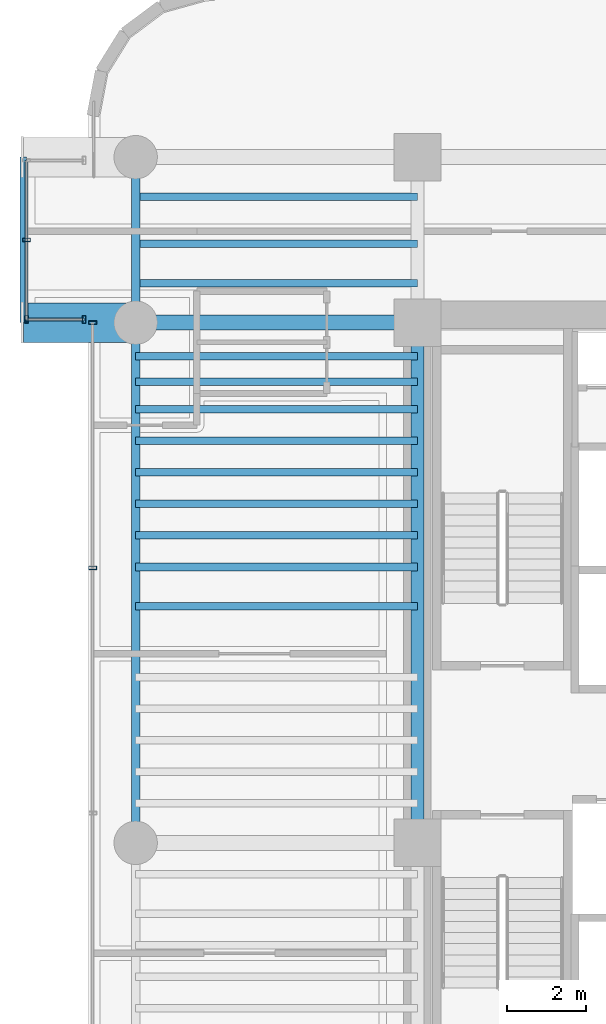
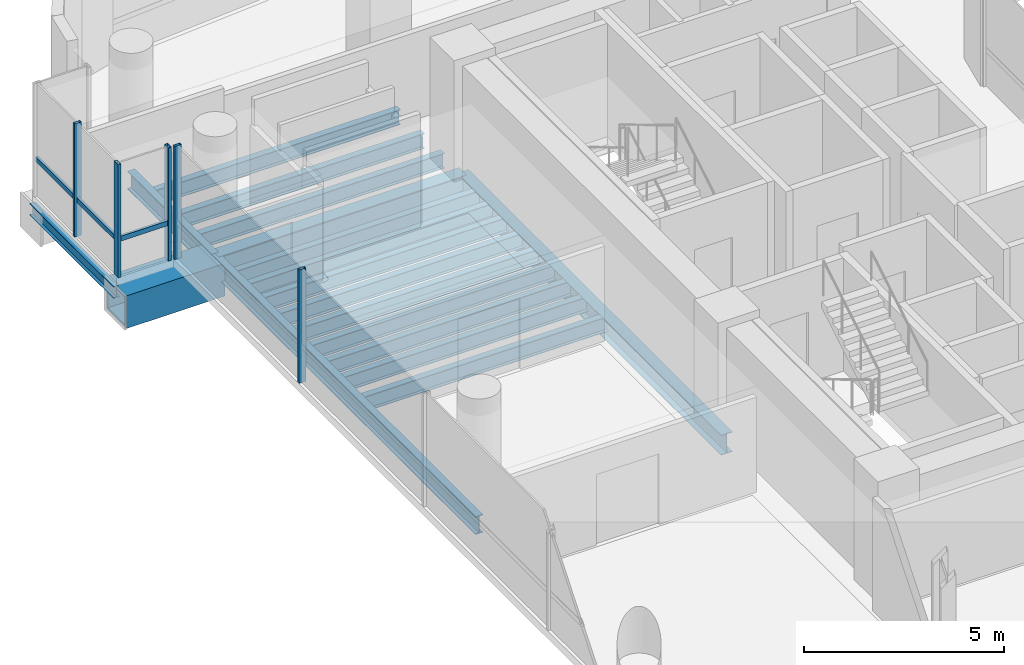
# One storey, part 8 of 34: 18 beams, 7 members, 3 elements without a shape of their own.
"""IFC4 building model written with IfcOpenShell, lengths in metres."""

from ifc_helpers import new_model, si_unit, direction, frame, origin, origin_2d, place, context, subcontext, project, spatial, hollow_rectangle, i_section, extrude, source, transform, mapped, material, material_profile, profile_set, type_object, element, aggregate, save


model = new_model("IFC4")

# Units and contexts
model_context = context("Model", 3, precision=1e-05, world=origin(), true_north=direction((0.0, 1.0)))
body_context = subcontext(model_context, "Body", "Model", "MODEL_VIEW")
ifc_project = project(units=[si_unit("LENGTHUNIT", "METRE"), si_unit("AREAUNIT", "SQUARE_METRE"), si_unit("VOLUMEUNIT", "CUBIC_METRE"), si_unit("PLANEANGLEUNIT", "RADIAN"), si_unit("MASSUNIT", "GRAM", prefix="KILO")], contexts=[model_context])

# Site, building, storey
site_placement = place(None, origin())
site = spatial("IfcSite", under=ifc_project, at=site_placement, CompositionType="ELEMENT")
building_placement = place(site_placement, origin())
building = spatial("IfcBuilding", under=site, at=building_placement, Name="Valdorenza Pilgrim Sanctuary Tower", CompositionType="ELEMENT")
storey_placement = place(building_placement, frame((0.0, 0.0, 120.5)))
storey = spatial("IfcBuildingStorey", under=building, at=storey_placement, Name="L30", CompositionType="ELEMENT", Elevation=120.5)

# Beams
ifc_material_1 = material(Name="Steel ASTM A992 Grade 50", Category="steel")
ifc_material_profile_1 = material_profile(ifc_material_1, i_section(OverallWidth=0.214111328125, OverallDepth=0.549072265625, WebThickness=0.0146484375, FlangeThickness=0.023681640625, at=origin_2d()), Name="W21X93")
ifc_profile_set_1 = profile_set([ifc_material_profile_1], Name="Steel ASTM A992 Grade 50")
beam_type_1 = type_object("IfcBeamType", Name="STR-BM-SPN-W21A", PredefinedType="SPANDREL", material=ifc_profile_set_1)
shared_shape_1 = source(origin(), body_context, "Body", "SweptSolid", [
    extrude(i_section(OverallWidth=0.214111328125, OverallDepth=0.549072265625, WebThickness=0.0146484375, FlangeThickness=0.023681640625, at=origin_2d()), origin(), (0.0, 0.0, 1.0), 13.2001953125),
])
beam_1_placement = place(storey_placement, frame((-29.800048828125, -2.60009765625, -0.514404296875), z_axis=(0.0, 1.0, 0.0), x_axis=(-1.0, 0.0, 0.0)))
element("IfcBeam", 1, at=beam_1_placement, inside=storey, type_object=beam_type_1, Name="L30 Spandrel Beam WA-W-M0N1", PredefinedType="SPANDREL", context=body_context, shape_type="MappedRepresentation", body=[
    mapped(shared_shape_1, transform((0.0, 0.0, 0.0), x_axis=(1.0, 0.0, 0.0), y_axis=(0.0, 1.0, 0.0), z_axis=(0.0, 0.0, 1.0), scale=1.0)),
])
ifc_material_profile_2 = material_profile(ifc_material_1, i_section(OverallWidth=0.323974609375, OverallDepth=0.611083984375, WebThickness=0.0126953125, FlangeThickness=0.01904296875, at=origin_2d()), Name="W24X104")
ifc_profile_set_2 = profile_set([ifc_material_profile_2], Name="Steel ASTM A992 Grade 50")
beam_type_2 = type_object("IfcBeamType", Name="STR-BM-GRD-W24B", PredefinedType="BEAM", material=ifc_profile_set_2)
shared_shape_2 = source(origin(), body_context, "Body", "SweptSolid", [
    extrude(i_section(OverallWidth=0.323974609375, OverallDepth=0.611083984375, WebThickness=0.0126953125, FlangeThickness=0.01904296875, at=origin_2d()), origin(), (0.0, 0.0, 1.0), 13.2001953125),
])
beam_2_placement = place(storey_placement, frame((-22.64990234375, -2.60009765625, -0.54541015625), z_axis=(0.0, 1.0, 0.0), x_axis=(-1.0, 0.0, 0.0)))
element("IfcBeam", 2, at=beam_2_placement, inside=storey, type_object=beam_type_2, Name="L30 Core Tie Girder CA-W-M0N1", PredefinedType="BEAM", context=body_context, shape_type="MappedRepresentation", body=[
    mapped(shared_shape_2, transform((0.0, 0.0, 0.0), x_axis=(1.0, 0.0, 0.0), y_axis=(0.0, 1.0, 0.0), z_axis=(0.0, 0.0, 1.0), scale=1.0)),
])
shared_shape_3 = source(origin(), body_context, "Body", "SweptSolid", [
    extrude(i_section(OverallWidth=0.214111328125, OverallDepth=0.549072265625, WebThickness=0.0146484375, FlangeThickness=0.023681640625, at=origin_2d()), origin(), (0.0, 0.0, 1.0), 4.199951171875),
])
beam_3_placement = place(storey_placement, frame((-29.800048828125, 10.60009765625, -0.514404296875), z_axis=(0.0, 1.0, 0.0), x_axis=(-1.0, 0.0, 0.0)))
element("IfcBeam", 3, at=beam_3_placement, inside=storey, type_object=beam_type_1, Name="L30 Spandrel Beam WA-W-N1N2", PredefinedType="SPANDREL", context=body_context, shape_type="MappedRepresentation", body=[
    mapped(shared_shape_3, transform((0.0, 0.0, 0.0), x_axis=(1.0, 0.0, 0.0), y_axis=(0.0, 1.0, 0.0), z_axis=(0.0, 0.0, 1.0), scale=1.0)),
])
ifc_material_profile_3 = material_profile(ifc_material_1, i_section(OverallWidth=0.1708984375, OverallDepth=0.35107421875, WebThickness=0.0068359375, FlangeThickness=0.009765625, at=origin_2d()), Name="W14X30")
ifc_profile_set_3 = profile_set([ifc_material_profile_3], Name="Steel ASTM A992 Grade 50")
beam_type_3 = type_object("IfcBeamType", Name="STR-BM-BOX-W14", PredefinedType="BEAM", material=ifc_profile_set_3)
shared_shape_4 = source(origin(), body_context, "Body", "SweptSolid", [
    extrude(i_section(OverallWidth=0.1708984375, OverallDepth=0.35107421875, WebThickness=0.0068359375, FlangeThickness=0.009765625, at=origin_2d()), origin(), (0.0, 0.0, 1.0), 4.199951171875),
])
beam_4_placement = place(storey_placement, frame((-32.64990234375, 10.60009765625, -0.41552734375), z_axis=(0.0, 1.0, 0.0), x_axis=(-1.0, 0.0, 0.0)))
element("IfcBeam", 4, at=beam_4_placement, inside=storey, type_object=beam_type_3, Name="L30 Glass Box Edge Beam BOX-WA-L30-F", PredefinedType="BEAM", context=body_context, shape_type="MappedRepresentation", body=[
    mapped(shared_shape_4, transform((0.0, 0.0, 0.0), x_axis=(1.0, 0.0, 0.0), y_axis=(0.0, 1.0, 0.0), z_axis=(0.0, 0.0, 1.0), scale=1.0)),
])
ifc_material_profile_4 = material_profile(ifc_material_1, i_section(OverallWidth=0.382080078125, OverallDepth=0.779052734375, WebThickness=0.01806640625, FlangeThickness=0.030029296875, at=origin_2d()), Name="W30X191")
ifc_profile_set_4 = profile_set([ifc_material_profile_4], Name="Steel ASTM A992 Grade 50")
beam_type_4 = type_object("IfcBeamType", Name="STR-BM-GRD-W30", PredefinedType="BEAM", material=ifc_profile_set_4)
shared_shape_5 = source(origin(), body_context, "Body", "SweptSolid", [
    extrude(i_section(OverallWidth=0.382080078125, OverallDepth=0.779052734375, WebThickness=0.01806640625, FlangeThickness=0.030029296875, at=origin_2d()), origin(), (0.0, 0.0, 1.0), 7.150146484375),
])
beam_5_placement = place(storey_placement, frame((-29.800048828125, 10.60009765625, -0.62939453125), z_axis=(1.0, 0.0, 0.0), x_axis=(0.0, 1.0, 0.0)))
element("IfcBeam", 5, at=beam_5_placement, inside=storey, type_object=beam_type_4, Name="L30 Floor Girder WA-XW-N1", PredefinedType="BEAM", context=body_context, shape_type="MappedRepresentation", body=[
    mapped(shared_shape_5, transform((0.0, 0.0, 0.0), x_axis=(1.0, 0.0, 0.0), y_axis=(0.0, 1.0, 0.0), z_axis=(0.0, 0.0, 1.0), scale=1.0)),
])
ifc_material_profile_5 = material_profile(ifc_material_1, i_section(OverallWidth=0.19091796875, OverallDepth=0.45703125, WebThickness=0.009033203125, FlangeThickness=0.014404296875, at=origin_2d()), Name="W18X50")
ifc_profile_set_5 = profile_set([ifc_material_profile_5], Name="Steel ASTM A992 Grade 50")
beam_type_5 = type_object("IfcBeamType", Name="STR-BM-JST-W18B", PredefinedType="JOIST", material=ifc_profile_set_5)
shared_shape_6 = source(origin(), body_context, "Body", "SweptSolid", [
    extrude(i_section(OverallWidth=0.19091796875, OverallDepth=0.45703125, WebThickness=0.009033203125, FlangeThickness=0.014404296875, at=origin_2d()), origin(), (0.0, 0.0, 1.0), 7.150146484375),
])
for number, where, z_axis, x_axis, name in (
    (6, (-29.800048828125, 3.39990234375, -0.468505859375), (1.0, 0.0, 0.0), (0.0, 1.0, 0.0), "L30 Composite Floor Joist JST-WA-15"),
    (7, (-29.800048828125, 4.39990234375, -0.468505859375), (1.0, 0.0, 0.0), (0.0, 1.0, 0.0), "L30 Composite Floor Joist JST-WA-16"),
    (8, (-29.800048828125, 5.199951171875, -0.468505859375), (1.0, 0.0, 0.0), (0.0, 1.0, 0.0), "L30 Composite Floor Joist JST-WA-17"),
    (9, (-29.800048828125, 6.0, -0.468505859375), (1.0, 0.0, 0.0), (0.0, 1.0, 0.0), "L30 Composite Floor Joist JST-WA-18"),
    (10, (-29.800048828125, 6.800048828125, -0.468505859375), (1.0, 0.0, 0.0), (0.0, 1.0, 0.0), "L30 Composite Floor Joist JST-WA-19"),
    (11, (-29.800048828125, 7.60009765625, -0.468505859375), (1.0, 0.0, 0.0), (0.0, 1.0, 0.0), "L30 Composite Floor Joist JST-WA-20"),
    (12, (-29.800048828125, 8.39990234375, -0.468505859375), (1.0, 0.0, 0.0), (0.0, 1.0, 0.0), "L30 Composite Floor Joist JST-WA-21"),
    (13, (-29.800048828125, 9.10009765625, -0.468505859375), (1.0, 0.0, 0.0), (0.0, 1.0, 0.0), "L30 Composite Floor Joist JST-WA-22"),
    (14, (-29.800048828125, 9.75, -0.468505859375), (1.0, 0.0, 0.0), (0.0, 1.0, 0.0), "L30 Composite Floor Joist JST-WA-23"),
    (15, (-29.800048828125, 11.60009765625, -0.468505859375), (1.0, 0.0, 0.0), (0.0, 1.0, 0.0), "L30 Composite Floor Joist JST-WA-24"),
    (16, (-29.800048828125, 12.60009765625, -0.468505859375), (1.0, 0.0, 0.0), (0.0, 1.0, 0.0), "L30 Composite Floor Joist JST-WA-25"),
    (17, (-29.800048828125, 13.800048828125, -0.468505859375), (1.0, 0.0, 0.0), (0.0, 1.0, 0.0), "L30 Composite Floor Joist JST-WA-26"),
):
    element("IfcBeam", number, at=place(storey_placement, frame(where, z_axis=z_axis, x_axis=x_axis)), inside=storey, type_object=beam_type_5, Name=name, PredefinedType="JOIST", context=body_context, shape_type="MappedRepresentation", body=[
        mapped(shared_shape_6, transform((0.0, 0.0, 0.0), x_axis=(1.0, 0.0, 0.0), y_axis=(0.0, 1.0, 0.0), z_axis=(0.0, 0.0, 1.0), scale=1.0)),
    ])
ifc_material_2 = material(Name="Steel ASTM A572 Grade 42", Category="steel")
ifc_material_profile_6 = material_profile(ifc_material_2, hollow_rectangle(XDim=1.0, YDim=1.0, WallThickness=0.080078125, at=origin_2d()), Name="BOX 1000x1000x80")
ifc_profile_set_6 = profile_set([ifc_material_profile_6], Name="Steel ASTM A572 Grade 42")
beam_type_6 = type_object("IfcBeamType", Name="STR-BM-PROW-CANT", PredefinedType="BEAM", material=ifc_profile_set_6)
shared_shape_7 = source(origin(), body_context, "Body", "SweptSolid", [
    extrude(hollow_rectangle(XDim=1.0, YDim=1.0, WallThickness=0.080078125, at=origin_2d()), origin(), (0.0, 0.0, 1.0), 2.849853515625),
])
beam_6_placement = place(storey_placement, frame((-29.800048828125, 10.60009765625, -0.739990234375), z_axis=(-1.0, 0.0, 0.0), x_axis=(0.0, -1.0, 0.0)))
element("IfcBeam", 18, at=beam_6_placement, inside=storey, type_object=beam_type_6, Name="L30 Glass Box Cantilever Beam BOX-WA-L30-CT-S", PredefinedType="BEAM", context=body_context, shape_type="MappedRepresentation", body=[
    mapped(shared_shape_7, transform((0.0, 0.0, 0.0), x_axis=(1.0, 0.0, 0.0), y_axis=(0.0, 1.0, 0.0), z_axis=(0.0, 0.0, 1.0), scale=1.0)),
])

# Curtain wall, members
ifc_material_3 = material(Name="Curtain-wall IGU glazing", Category="glass")
curtain_wall_type = type_object("IfcCurtainWallType", Name="CW-SYS-02", PredefinedType="NOTDEFINED", material=ifc_material_3)
curtain_wall_1_placement = place(storey_placement, origin())
curtain_wall_1 = element("IfcCurtainWall", 19, at=curtain_wall_1_placement, inside=storey, type_object=curtain_wall_type, Name="L30 Curtain Wall CW-L30-1-1S1", PredefinedType="NOTDEFINED")
ifc_material_4 = material(Name="Anodised aluminium AW-6060", Category="aluminium")
ifc_material_profile_7 = material_profile(ifc_material_4, hollow_rectangle(XDim=0.0849609375, YDim=0.199951171875, WallThickness=0.0048828125, at=origin_2d()), Name="ALU-M 200x85x5")
ifc_profile_set_7 = profile_set([ifc_material_profile_7], Name="Anodised aluminium AW-6060")
member_type_1 = type_object("IfcMemberType", Name="CW-MUL-02", PredefinedType="MULLION", material=ifc_profile_set_7)
shared_shape_8 = source(origin(), body_context, "Body", "SweptSolid", [
    extrude(hollow_rectangle(XDim=0.0849609375, YDim=0.199951171875, WallThickness=0.0048828125, at=origin_2d()), origin(), (0.0, 0.0, 1.0), 3.4599609375),
])
member_1_placement = place(storey_placement, frame((-30.889892578125, 4.377685546875, 0.0), z_axis=(0.0, 0.0, 1.0), x_axis=(0.0, 1.0, 0.0)))
member_1 = element("IfcMember", 20, at=member_1_placement, type_object=member_type_1, Name="CW-L30-1-1S1 Mullion 4", PredefinedType="MULLION", context=body_context, shape_type="MappedRepresentation", body=[
    mapped(shared_shape_8, transform((0.0, 0.0, 0.0), x_axis=(1.0, 0.0, 0.0), y_axis=(0.0, 1.0, 0.0), z_axis=(0.0, 0.0, 1.0), scale=1.0)),
])
member_2_placement = place(storey_placement, frame((-30.889892578125, 10.60009765625, 0.0), z_axis=(0.0, 0.0, 1.0), x_axis=(0.0, 1.0, 0.0)))
member_2 = element("IfcMember", 21, at=member_2_placement, type_object=member_type_1, Name="CW-L30-1-1S1 Mullion 5", PredefinedType="MULLION", context=body_context, shape_type="MappedRepresentation", body=[
    mapped(shared_shape_8, transform((0.0, 0.0, 0.0), x_axis=(1.0, 0.0, 0.0), y_axis=(0.0, 1.0, 0.0), z_axis=(0.0, 0.0, 1.0), scale=1.0)),
])
aggregate(curtain_wall_1, [member_1, member_2])

curtain_wall_2_placement = place(storey_placement, origin())
curtain_wall_2 = element("IfcCurtainWall", 22, at=curtain_wall_2_placement, inside=storey, type_object=curtain_wall_type, Name="L30 Curtain Wall CW-L30-BOX-WA-L30-S", PredefinedType="NOTDEFINED")
member_3_placement = place(storey_placement, frame((-31.110107421875, 10.679931640625, 0.0), z_axis=(0.0, 0.0, 1.0), x_axis=(-1.0, 0.0, 0.0)))
member_3 = element("IfcMember", 23, at=member_3_placement, type_object=member_type_1, Name="CW-L30-BOX-WA-L30-S Mullion 1", PredefinedType="MULLION", context=body_context, shape_type="MappedRepresentation", body=[
    mapped(shared_shape_8, transform((0.0, 0.0, 0.0), x_axis=(1.0, 0.0, 0.0), y_axis=(0.0, 1.0, 0.0), z_axis=(0.0, 0.0, 1.0), scale=1.0)),
])
member_4_placement = place(storey_placement, frame((-32.570068359375, 10.679931640625, 0.0), z_axis=(0.0, 0.0, 1.0), x_axis=(-1.0, 0.0, 0.0)))
member_4 = element("IfcMember", 24, at=member_4_placement, type_object=member_type_1, Name="CW-L30-BOX-WA-L30-S Mullion 2", PredefinedType="MULLION", context=body_context, shape_type="MappedRepresentation", body=[
    mapped(shared_shape_8, transform((0.0, 0.0, 0.0), x_axis=(1.0, 0.0, 0.0), y_axis=(0.0, 1.0, 0.0), z_axis=(0.0, 0.0, 1.0), scale=1.0)),
])

# Curtain wall, member
curtain_wall_3_placement = place(storey_placement, origin())
curtain_wall_3 = element("IfcCurtainWall", 25, at=curtain_wall_3_placement, inside=storey, type_object=curtain_wall_type, Name="L30 Curtain Wall CW-L30-BOX-WA-L30-F", PredefinedType="NOTDEFINED")
member_5_placement = place(storey_placement, frame((-32.570068359375, 12.699951171875, 0.0), z_axis=(0.0, 0.0, 1.0), x_axis=(0.0, 1.0, 0.0)))
member_5 = element("IfcMember", 26, at=member_5_placement, type_object=member_type_1, Name="CW-L30-BOX-WA-L30-F Mullion 2", PredefinedType="MULLION", context=body_context, shape_type="MappedRepresentation", body=[
    mapped(shared_shape_8, transform((0.0, 0.0, 0.0), x_axis=(1.0, 0.0, 0.0), y_axis=(0.0, 1.0, 0.0), z_axis=(0.0, 0.0, 1.0), scale=1.0)),
])

# Member
ifc_material_profile_8 = material_profile(ifc_material_4, hollow_rectangle(XDim=0.074951171875, YDim=0.14990234375, WallThickness=0.00390625, at=origin_2d()), Name="ALU-T 150x75x4")
ifc_profile_set_8 = profile_set([ifc_material_profile_8], Name="Anodised aluminium AW-6060")
member_type_2 = type_object("IfcMemberType", Name="CW-TRN-02", PredefinedType="USERDEFINED", material=ifc_profile_set_8)
shared_shape_9 = source(origin(), body_context, "Body", "SweptSolid", [
    extrude(hollow_rectangle(XDim=0.074951171875, YDim=0.14990234375, WallThickness=0.00390625, at=origin_2d()), origin(), (0.0, 0.0, 1.0), 1.4599609375),
])
member_6_placement = place(storey_placement, frame((-31.110107421875, 10.679931640625, 1.1201171875), z_axis=(-1.0, 0.0, 0.0), x_axis=(0.0, -1.0, 0.0)))
member_6 = element("IfcMember", 27, at=member_6_placement, type_object=member_type_2, Name="CW-L30-BOX-WA-L30-S Transom 1", ObjectType="TRANSOM", PredefinedType="USERDEFINED", context=body_context, shape_type="MappedRepresentation", body=[
    mapped(shared_shape_9, transform((0.0, 0.0, 0.0), x_axis=(1.0, 0.0, 0.0), y_axis=(0.0, 1.0, 0.0), z_axis=(0.0, 0.0, 1.0), scale=1.0)),
])

aggregate(curtain_wall_2, [member_3, member_4, member_6])

shared_shape_10 = source(origin(), body_context, "Body", "SweptSolid", [
    extrude(hollow_rectangle(XDim=0.074951171875, YDim=0.14990234375, WallThickness=0.00390625, at=origin_2d()), origin(), (0.0, 0.0, 1.0), 4.0400390625),
])
member_7_placement = place(storey_placement, frame((-32.570068359375, 10.679931640625, 1.1201171875), z_axis=(0.0, 1.0, 0.0), x_axis=(-1.0, 0.0, 0.0)))
member_7 = element("IfcMember", 28, at=member_7_placement, type_object=member_type_2, Name="CW-L30-BOX-WA-L30-F Transom 1", ObjectType="TRANSOM", PredefinedType="USERDEFINED", context=body_context, shape_type="MappedRepresentation", body=[
    mapped(shared_shape_10, transform((0.0, 0.0, 0.0), x_axis=(1.0, 0.0, 0.0), y_axis=(0.0, 1.0, 0.0), z_axis=(0.0, 0.0, 1.0), scale=1.0)),
])

aggregate(curtain_wall_3, [member_5, member_7])

save(model, "model.ifc")
